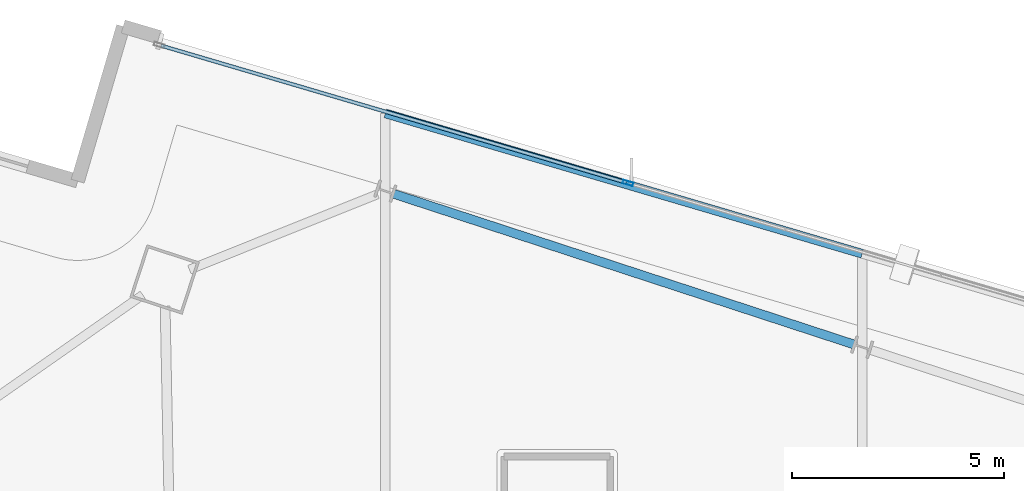
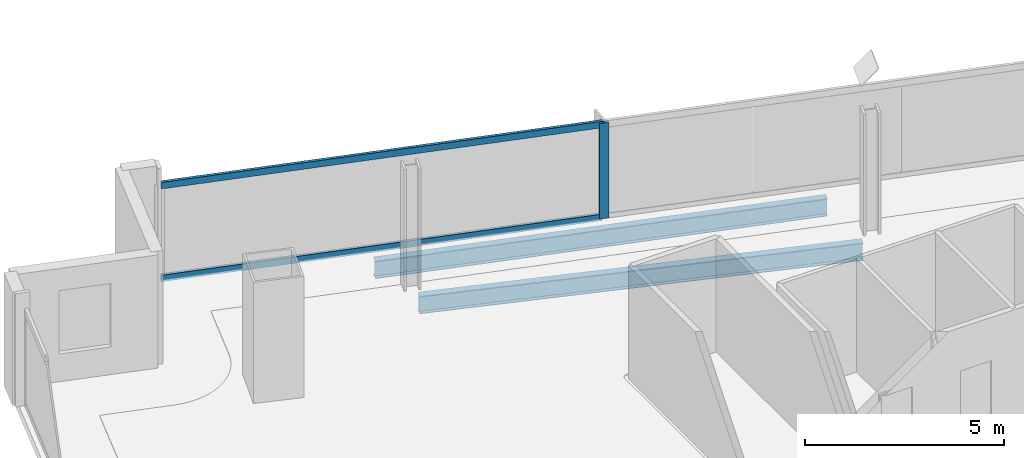
# One storey, part 15 of 26: 3 members, 2 beams, 1 element without a shape of its own.
"""IFC4 building model written with IfcOpenShell, lengths in metres."""

from ifc_helpers import new_model, si_unit, direction, frame, origin, origin_2d, place, context, subcontext, project, spatial, hollow_rectangle, i_section, extrude, material, material_profile, profile_set, type_object, element, aggregate, save


model = new_model("IFC4")

# Units and contexts
model_context = context("Model", 3, precision=1e-05, world=origin(), true_north=direction((0.0, 1.0)))
body_context = subcontext(model_context, "Body", "Model", "MODEL_VIEW")
ifc_project = project(units=[si_unit("LENGTHUNIT", "METRE"), si_unit("AREAUNIT", "SQUARE_METRE"), si_unit("VOLUMEUNIT", "CUBIC_METRE"), si_unit("PLANEANGLEUNIT", "RADIAN"), si_unit("MASSUNIT", "GRAM", prefix="KILO")], contexts=[model_context])

# Site, building, storey
site_placement = place(None, origin())
site = spatial("IfcSite", under=ifc_project, at=site_placement, CompositionType="ELEMENT")
building_placement = place(site_placement, origin())
building = spatial("IfcBuilding", under=site, at=building_placement, Name="Haldenkirk Collegiate Tower", CompositionType="ELEMENT")
storey_placement = place(building_placement, frame((0.0, 0.0, 274.949951171875)))
storey = spatial("IfcBuildingStorey", under=building, at=storey_placement, Name="L69", CompositionType="ELEMENT", Elevation=274.949951171875)

# Beams
ifc_material_1 = material(Name="Steel ASTM A992 Grade 50", Category="steel")
ifc_material_profile_1 = material_profile(ifc_material_1, i_section(OverallWidth=0.2099609375, OverallDepth=0.537109375, WebThickness=0.010986328125, FlangeThickness=0.017333984375, at=origin_2d()), Name="W21X68")
ifc_profile_set_1 = profile_set([ifc_material_profile_1], Name="Steel ASTM A992 Grade 50")
beam_type = type_object("IfcBeamType", Name="BM-SPANDREL-W21X68", PredefinedType="SPANDREL", material=ifc_profile_set_1)
beam_1_placement = place(storey_placement, frame((42.99755859375, 45.54296875, -0.538330078125), z_axis=(-0.950408846531, 0.311003254701, 0.0), x_axis=(-0.311003254701, -0.950408846531, 0.0)))
element("IfcBeam", 1, at=beam_1_placement, inside=storey, type_object=beam_type, Name="L69 perimeter spandrel beam 07", PredefinedType="SPANDREL", context=body_context, shape_type="SweptSolid", body=[
    extrude(i_section(OverallWidth=0.2099609375, OverallDepth=0.537109375, WebThickness=0.010986328125, FlangeThickness=0.017333984375, at=origin_2d()), origin(), (0.0, 0.0, 1.0), 11.421875),
])
beam_2_placement = place(storey_placement, frame((43.18994140625, 47.68212890625, -0.538330078125), z_axis=(-0.959317378672, 0.282329890337, 0.0), x_axis=(-0.282329890337, -0.959317378672, 0.0)))
element("IfcBeam", 2, at=beam_2_placement, inside=storey, type_object=beam_type, Name="L69 outer facade edge beam 2B", PredefinedType="SPANDREL", context=body_context, shape_type="SweptSolid", body=[
    extrude(i_section(OverallWidth=0.2099609375, OverallDepth=0.537109375, WebThickness=0.010986328125, FlangeThickness=0.017333984375, at=origin_2d()), origin(), (0.0, 0.0, 1.0), 11.71728515625),
])

# Curtain wall, members
ifc_material_2 = material(Name="Anodised architectural bronze aluminium", Category="aluminium")
curtain_wall_type = type_object("IfcCurtainWallType", Name="CW-SYS1B-CONVEX-HI", PredefinedType="USERDEFINED", material=ifc_material_2)
curtain_wall_placement = place(storey_placement, origin())
curtain_wall = element("IfcCurtainWall", 3, at=curtain_wall_placement, inside=storey, type_object=curtain_wall_type, Name="L69 Upper tower high-wind convex bronze unitised curtain wall", ObjectType="UNITISED CURTAIN WALL", PredefinedType="USERDEFINED")
ifc_material_profile_2 = material_profile(ifc_material_2, hollow_rectangle(XDim=0.0849609375, YDim=0.25, WallThickness=0.0048828125, at=origin_2d()), Name="CW-MUL-1B")
ifc_profile_set_2 = profile_set([ifc_material_profile_2], Name="Anodised architectural bronze aluminium")
member_type_1 = type_object("IfcMemberType", Name="CW-MUL-1B", PredefinedType="MULLION", material=ifc_profile_set_2)
member_1_placement = place(storey_placement, frame((37.66845703125, 49.348876953125, 0.0), z_axis=(0.0, 0.0, 1.0), x_axis=(0.282341816085, 0.959313868809, 0.0)))
member_1 = element("IfcMember", 4, at=member_1_placement, type_object=member_type_1, Name="CW-1B mullion 2", PredefinedType="MULLION", context=body_context, shape_type="SweptSolid", body=[
    extrude(hollow_rectangle(XDim=0.0849609375, YDim=0.25, WallThickness=0.0048828125, at=origin_2d()), origin(), (0.0, 0.0, 1.0), 2.93798828125),
])
ifc_material_profile_3 = material_profile(ifc_material_2, hollow_rectangle(XDim=0.0849609375, YDim=0.199951171875, WallThickness=0.0048828125, at=origin_2d()), Name="CW-TRN-1B")
ifc_profile_set_3 = profile_set([ifc_material_profile_3], Name="Anodised architectural bronze aluminium")
member_type_2 = type_object("IfcMemberType", Name="CW-TRN-1B", PredefinedType="USERDEFINED", material=ifc_profile_set_3)
member_2_placement = place(storey_placement, frame((26.662109375, 52.588134765625, 0.04248046875), z_axis=(0.959315151087, -0.28233745925, 0.0), x_axis=(0.28233745925, 0.959315151087, 0.0)))
member_2 = element("IfcMember", 5, at=member_2_placement, type_object=member_type_2, Name="CW-1B transom 1.1", ObjectType="TRANSOM", PredefinedType="USERDEFINED", context=body_context, shape_type="SweptSolid", body=[
    extrude(hollow_rectangle(XDim=0.0849609375, YDim=0.199951171875, WallThickness=0.0048828125, at=origin_2d()), origin(), (0.0, 0.0, 1.0), 11.4306640625),
])
member_3_placement = place(storey_placement, frame((26.662109375, 52.588134765625, 2.8955078125), z_axis=(0.959315151087, -0.28233745925, 0.0), x_axis=(0.28233745925, 0.959315151087, 0.0)))
member_3 = element("IfcMember", 6, at=member_3_placement, type_object=member_type_2, Name="CW-1B transom 1.2", ObjectType="TRANSOM", PredefinedType="USERDEFINED", context=body_context, shape_type="SweptSolid", body=[
    extrude(hollow_rectangle(XDim=0.0849609375, YDim=0.199951171875, WallThickness=0.0048828125, at=origin_2d()), origin(), (0.0, 0.0, 1.0), 11.4306640625),
])
aggregate(curtain_wall, [member_1, member_2, member_3])

save(model, "model.ifc")
